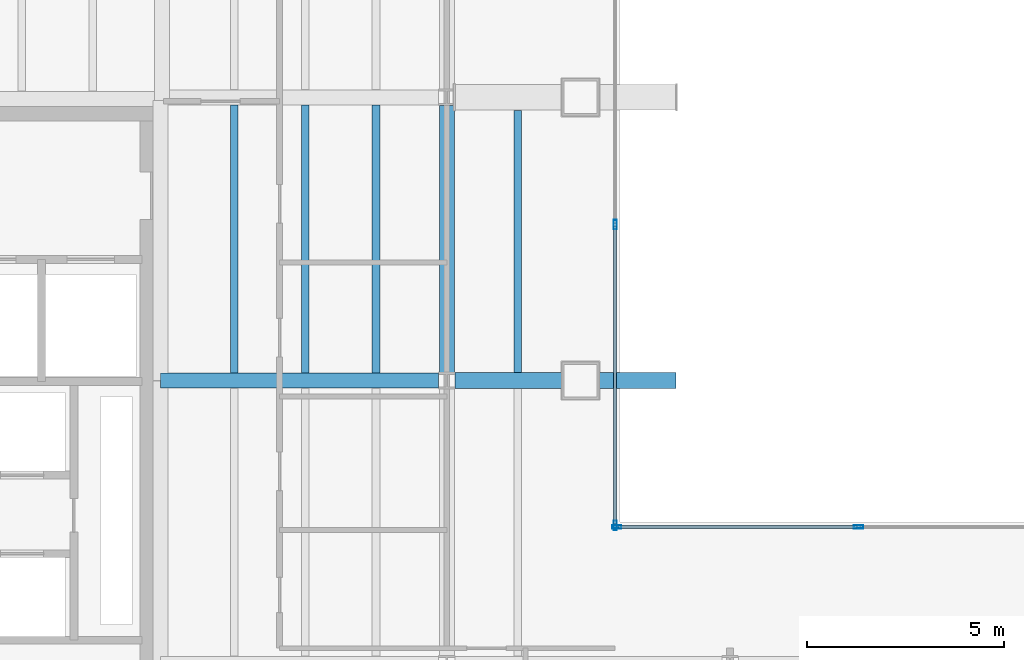
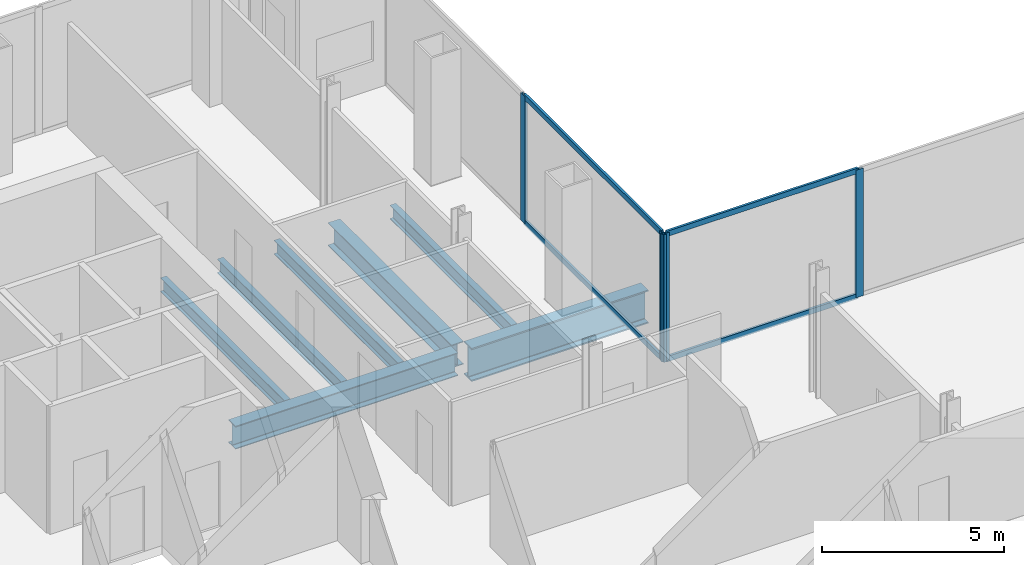
# One storey, part 5 of 16: 8 members, 7 beams, 2 elements without a shape of their own.
"""IFC4 building model written with IfcOpenShell, lengths in metres."""

import ifcopenshell
import ifcopenshell.guid

model = None  # the IFC model being written
_history = None  # IfcOwnerHistory: only IFC2X3 demands one
_inside = {}  # id of a spatial element -> (the spatial element, [elements in it])
_under = {}  # id of a project, library or spatial element -> (it, [spatial elements below it])
_declared = {}  # id of a project -> (the project, [libraries it declares])
_typed = {}  # id of a type object -> (the type object, [elements of that type])
_made_of = {}  # id of a material, layer set ... -> (it, [elements and type objects made of it])


def new_model(schema):
    """Start an empty IFC model of exactly this schema.

    Asked for "IFC4X3", IfcOpenShell would pick the latest addendum, in which some entities
    have other attributes; the version numbers below select the first issue.
    IFC2X3 requires an IfcOwnerHistory on every rooted entity: one is made here for all.
    """
    global model, _history
    if schema == "IFC4X3":
        model = ifcopenshell.file(schema_version=(4, 3, 0, 0))
    else:
        model = ifcopenshell.file(schema=schema)
    _inside.clear()
    _under.clear()
    _declared.clear()
    _typed.clear()
    _made_of.clear()
    _history = None
    if model.schema == "IFC2X3":
        org = make("IfcOrganization", Name="unknown")
        user = make(
            "IfcPersonAndOrganization",
            ThePerson=make("IfcPerson", FamilyName="unknown"),
            TheOrganization=org,
        )
        app = make(
            "IfcApplication",
            ApplicationDeveloper=org,
            Version="unknown",
            ApplicationFullName="unknown",
            ApplicationIdentifier="unknown",
        )
        _history = make(
            "IfcOwnerHistory",
            OwningUser=user,
            OwningApplication=app,
            ChangeAction="ADDED",
            CreationDate=0,
        )
    return model


def make(cls, **values):
    """One entity of the class cls with the attributes given. An attribute that is None is left unset."""
    return model.create_entity(
        cls, **{name: value for name, value in values.items() if value is not None}
    )


def rooted(cls, **values):
    """An entity with a GlobalId (a new one), such as an element, a storey or a relation."""
    return make(cls, GlobalId=ifcopenshell.guid.new(), OwnerHistory=_history, **values)


def si_unit(unit_type, name, prefix=None):
    """IfcSIUnit, for example si_unit("LENGTHUNIT", "METRE", prefix="MILLI")."""
    return make("IfcSIUnit", UnitType=unit_type, Prefix=prefix, Name=name)


def assignment(units):
    """IfcUnitAssignment: the units of a project."""
    return None if units is None else make("IfcUnitAssignment", Units=units)


def point(xyz):
    """IfcCartesianPoint."""
    return None if xyz is None else make("IfcCartesianPoint", Coordinates=xyz)


def direction(xyz):
    """IfcDirection."""
    return None if xyz is None else make("IfcDirection", DirectionRatios=xyz)


def frame(location, z_axis=None, x_axis=None):
    """IfcAxis2Placement3D, a coordinate frame: its origin and axes. An axis left out is left unset."""
    return make(
        "IfcAxis2Placement3D",
        Location=point(location),
        Axis=direction(z_axis),
        RefDirection=direction(x_axis),
    )


def frame_2d(location, x_axis=None):
    """IfcAxis2Placement2D, a coordinate frame in the plane: its origin and x axis."""
    return make(
        "IfcAxis2Placement2D", Location=point(location), RefDirection=direction(x_axis)
    )


def origin():
    """The frame at (0, 0, 0) with its axes left unset."""
    return frame((0.0, 0.0, 0.0))


def origin_2d():
    """The frame at (0, 0) in the plane with its x axis left unset."""
    return frame_2d((0.0, 0.0))


def place(relative_to, where):
    """IfcLocalPlacement: puts the frame where relative to a parent placement (None: the world)."""
    return make(
        "IfcLocalPlacement", PlacementRelTo=relative_to, RelativePlacement=where
    )


def context(
    kind, dimensions, precision=None, world=None, true_north=None, identifier=None
):
    """IfcGeometricRepresentationContext, for example the 3D "Model" context."""
    return make(
        "IfcGeometricRepresentationContext",
        ContextIdentifier=identifier,
        ContextType=kind,
        CoordinateSpaceDimension=dimensions,
        Precision=precision,
        WorldCoordinateSystem=world,
        TrueNorth=true_north,
    )


def subcontext(parent, identifier, kind, view, scale=None):
    """IfcGeometricRepresentationSubContext, for example "Body" below "Model"."""
    return make(
        "IfcGeometricRepresentationSubContext",
        ContextIdentifier=identifier,
        ContextType=kind,
        ParentContext=parent,
        TargetScale=scale,
        TargetView=view,
    )


def project(units=None, contexts=None):
    """IfcProject with its units and contexts."""
    return rooted(
        "IfcProject",
        Name="project",
        RepresentationContexts=contexts,
        UnitsInContext=assignment(units),
    )


def spatial(cls, under=None, at=None, **own):
    """A site, building, storey or space (cls), placed at a placement, below another one or the project."""
    s = rooted(cls, ObjectPlacement=at, **own)
    if under is not None:
        _under.setdefault(under.id(), (under, []))[1].append(s)
    return s


def profile(cls, at=None, kind="AREA", **sizes):
    """A parametric profile (cls). Its sizes go by their IFC names, for example OverallWidth=200.0."""
    return make(cls, ProfileType=kind, Position=at, **sizes)


def hollow_rectangle(**sizes):
    """IfcRectangleHollowProfileDef."""
    return profile("IfcRectangleHollowProfileDef", **sizes)


def i_section(**sizes):
    """IfcIShapeProfileDef."""
    return profile("IfcIShapeProfileDef", **sizes)


def extrude(swept, where, along, depth):
    """IfcExtrudedAreaSolid: the profile swept, set in the frame where, extruded along a direction by depth."""
    return make(
        "IfcExtrudedAreaSolid",
        SweptArea=swept,
        Position=where,
        ExtrudedDirection=direction(along),
        Depth=depth,
    )


def shape(context_of_items, identifier, shape_type, items):
    """IfcShapeRepresentation: the items that make up one representation, for example the "Body"."""
    return make(
        "IfcShapeRepresentation",
        ContextOfItems=context_of_items,
        RepresentationIdentifier=identifier,
        RepresentationType=shape_type,
        Items=items,
    )


def material(Name=None, Category=None):
    """IfcMaterial."""
    return make("IfcMaterial", Name=Name, Category=Category)


def material_profile(
    of_material, cross_section, Name=None, Category=None, Priority=None
):
    """IfcMaterialProfile: a cross section and its material."""
    return make(
        "IfcMaterialProfile",
        Name=Name,
        Material=of_material,
        Profile=cross_section,
        Priority=Priority,
        Category=Category,
    )


def profile_set(profiles, Name=None, composite=None):
    """IfcMaterialProfileSet."""
    return make(
        "IfcMaterialProfileSet",
        Name=Name,
        MaterialProfiles=profiles,
        CompositeProfile=composite,
    )


def made_of(thing, what):
    """Note that an element or type object is made of a material, layer set ...; save() writes the relation."""
    if what is not None:
        _made_of.setdefault(what.id(), (what, []))[1].append(thing)
    return thing


def type_object(cls, material=None, **own):
    """A type object (cls), such as IfcWallType, which elements share."""
    return made_of(rooted(cls, **own), material)


def element(
    cls,
    number,
    at=None,
    inside=None,
    cuts=None,
    type_object=None,
    material=None,
    context=None,
    identifier="Body",
    shape_type=None,
    held_by="IfcProductDefinitionShape",
    body=None,
    shapes=None,
    **own,
):
    """One element of the class cls, such as IfcWall. Its Tag is "e" and its number.

    at: its placement. inside: the storey or other place that contains it. cuts: it is an
    opening in that element (IfcRelVoidsElement). A single representation is given by context,
    identifier, shape_type and body (its items); several are given by shapes. held_by: the class
    of the entity that holds the representations. save() writes the other relations.
    """
    e = rooted(cls, Tag="e%d" % number, ObjectPlacement=at, **own)
    if body is not None:
        shapes = [shape(context, identifier, shape_type, body)]
    if shapes is not None:
        e.Representation = make(held_by, Representations=shapes)
    if inside is not None:
        _inside.setdefault(inside.id(), (inside, []))[1].append(e)
    if cuts is not None:
        rooted(
            "IfcRelVoidsElement", RelatingBuildingElement=cuts, RelatedOpeningElement=e
        )
    if type_object is not None:
        _typed.setdefault(type_object.id(), (type_object, []))[1].append(e)
    return made_of(e, material)


def aggregate(whole, parts):
    """IfcRelAggregates: a whole, such as a stair, and the parts it consists of."""
    return rooted("IfcRelAggregates", RelatingObject=whole, RelatedObjects=parts)


def save(model, path):
    """Write the relations noted so far, then the file.

    IfcRelAggregates (storeys below a building ...), IfcRelContainedInSpatialStructure (elements
    in a storey), IfcRelDefinesByType, IfcRelAssociatesMaterial and IfcRelDeclares: one each for
    every whole, place, type object, material and project.
    """
    for whole, parts in _under.values():
        aggregate(whole, parts)
    for where, things in _inside.values():
        rooted(
            "IfcRelContainedInSpatialStructure",
            RelatedElements=things,
            RelatingStructure=where,
        )
    for kind, things in _typed.values():
        rooted("IfcRelDefinesByType", RelatedObjects=things, RelatingType=kind)
    for what, things in _made_of.values():
        rooted("IfcRelAssociatesMaterial", RelatedObjects=things, RelatingMaterial=what)
    for by, libraries in _declared.values():
        rooted("IfcRelDeclares", RelatingContext=by, RelatedDefinitions=libraries)
    model.write(path)


model = new_model("IFC4")

# Units and contexts
model_context = context("Model", 3, precision=1e-05, world=origin(), true_north=direction((0.0, 1.0)))
body_context = subcontext(model_context, "Body", "Model", "MODEL_VIEW")
ifc_project = project(units=[si_unit("LENGTHUNIT", "METRE"), si_unit("AREAUNIT", "SQUARE_METRE"), si_unit("VOLUMEUNIT", "CUBIC_METRE"), si_unit("PLANEANGLEUNIT", "RADIAN"), si_unit("MASSUNIT", "GRAM", prefix="KILO")], contexts=[model_context])

# Site, building, storey
site_placement = place(None, origin())
site = spatial("IfcSite", under=ifc_project, at=site_placement, CompositionType="ELEMENT")
building_placement = place(site_placement, origin())
building = spatial("IfcBuilding", under=site, at=building_placement, Name="Cobrela Telecom Tower", CompositionType="ELEMENT")
storey_placement = place(building_placement, frame((0.0, 0.0, 97.64990234375)))
storey = spatial("IfcBuildingStorey", under=building, at=storey_placement, Name="L24", CompositionType="ELEMENT", Elevation=97.64990234375)

# Beams
ifc_material_1 = material(Name="Steel ASTM A992 Grade 50", Category="steel")
ifc_material_profile_1 = material_profile(ifc_material_1, i_section(OverallWidth=0.381103515625, OverallDepth=0.77197265625, WebThickness=0.0166015625, FlangeThickness=0.027099609375, FilletRadius=0.01904296875, at=origin_2d()), Name="W30X173")
ifc_profile_set_1 = profile_set([ifc_material_profile_1], Name="Steel ASTM A992 Grade 50")
beam_type_1 = type_object("IfcBeamType", Name="BM-GIRD-04", PredefinedType="USERDEFINED", material=ifc_profile_set_1)
beam_1_placement = place(storey_placement, frame((14.324951171875, 28.800048828125, -0.685791015625), z_axis=(1.0, 0.0, 0.0), x_axis=(0.0, 1.0, 0.0)))
element("IfcBeam", 1, at=beam_1_placement, inside=storey, type_object=beam_type_1, Name="L24 Primary Girder X15", ObjectType="GIRDER", PredefinedType="USERDEFINED", context=body_context, shape_type="SweptSolid", body=[
    extrude(i_section(OverallWidth=0.381103515625, OverallDepth=0.77197265625, WebThickness=0.0166015625, FlangeThickness=0.027099609375, FilletRadius=0.01904296875, at=origin_2d()), origin(), (0.0, 0.0, 1.0), 7.0654296875),
])
beam_2_placement = place(storey_placement, frame((21.60009765625, 29.009521484375, -0.685791015625), z_axis=(0.0, 1.0, 0.0), x_axis=(-1.0, 0.0, 0.0)))
element("IfcBeam", 2, at=beam_2_placement, inside=storey, type_object=beam_type_1, Name="L24 Primary Girder Y30", ObjectType="GIRDER", PredefinedType="USERDEFINED", context=body_context, shape_type="SweptSolid", body=[
    extrude(i_section(OverallWidth=0.381103515625, OverallDepth=0.77197265625, WebThickness=0.0166015625, FlangeThickness=0.027099609375, FilletRadius=0.01904296875, at=origin_2d()), origin(), (0.0, 0.0, 1.0), 6.781005859375),
])
ifc_material_profile_2 = material_profile(ifc_material_1, i_section(OverallWidth=0.193115234375, OverallDepth=0.467041015625, WebThickness=0.011474609375, FlangeThickness=0.01904296875, FilletRadius=0.012939453125, at=origin_2d()), Name="W18X65")
ifc_profile_set_2 = profile_set([ifc_material_profile_2], Name="Steel ASTM A992 Grade 50")
beam_type_2 = type_object("IfcBeamType", Name="BM-JOIST-03", PredefinedType="JOIST", material=ifc_profile_set_2)
for number, where, z_axis, x_axis, name in (
    (3, (16.199951171875, 28.99560546875, -0.533447265625), (0.0, 1.0, 0.0), (-1.0, 0.0, 0.0), "L24 Secondary Composite Floor Beam J07"),
    (4, (18.0, 28.99560546875, -0.533447265625), (0.0, 1.0, 0.0), (-1.0, 0.0, 0.0), "L24 Secondary Composite Floor Beam J12"),
    (5, (19.800048828125, 28.99560546875, -0.533447265625), (0.0, 1.0, 0.0), (-1.0, 0.0, 0.0), "L24 Secondary Composite Floor Beam J17"),
):
    element("IfcBeam", number, at=place(storey_placement, frame(where, z_axis=z_axis, x_axis=x_axis)), inside=storey, type_object=beam_type_2, Name=name, PredefinedType="JOIST", context=body_context, shape_type="SweptSolid", body=[
        extrude(i_section(OverallWidth=0.193115234375, OverallDepth=0.467041015625, WebThickness=0.011474609375, FlangeThickness=0.01904296875, FilletRadius=0.012939453125, at=origin_2d()), origin(), (0.0, 0.0, 1.0), 6.808837890625),
    ])
beam_3_placement = place(storey_placement, frame((23.39990234375, 29.007080078125, -0.533447265625), z_axis=(0.0, 1.0, 0.0), x_axis=(-1.0, 0.0, 0.0)))
element("IfcBeam", 6, at=beam_3_placement, inside=storey, type_object=beam_type_2, Name="L24 Secondary Composite Floor Beam J22", PredefinedType="JOIST", context=body_context, shape_type="SweptSolid", body=[
    extrude(i_section(OverallWidth=0.193115234375, OverallDepth=0.467041015625, WebThickness=0.011474609375, FlangeThickness=0.01904296875, FilletRadius=0.012939453125, at=origin_2d()), origin(), (0.0, 0.0, 1.0), 6.662841796875),
])
ifc_material_profile_3 = material_profile(ifc_material_1, i_section(OverallWidth=0.404052734375, OverallDepth=1.117919921875, WebThickness=0.02587890625, FlangeThickness=0.044921875, FilletRadius=0.02490234375, at=origin_2d()), Name="W44X335")
ifc_profile_set_3 = profile_set([ifc_material_profile_3], Name="Steel ASTM A992 Grade 50")
beam_type_3 = type_object("IfcBeamType", Name="BM-TRG-W44", PredefinedType="USERDEFINED", material=ifc_profile_set_3)
beam_4_placement = place(storey_placement, frame((21.8095703125, 28.800048828125, -0.85888671875), z_axis=(1.0, 0.0, 0.0), x_axis=(0.0, 1.0, 0.0)))
element("IfcBeam", 7, at=beam_4_placement, inside=storey, type_object=beam_type_3, Name="L24 Transfer Girder 04", ObjectType="GIRDER", PredefinedType="USERDEFINED", context=body_context, shape_type="SweptSolid", body=[
    extrude(i_section(OverallWidth=0.404052734375, OverallDepth=1.117919921875, WebThickness=0.02587890625, FlangeThickness=0.044921875, FilletRadius=0.02490234375, at=origin_2d()), origin(), (0.0, 0.0, 1.0), 5.6103515625),
])

# Curtain wall, members
ifc_material_2 = material(Name="Anodized Bronze Aluminium 6063-T6", Category="aluminium")
curtain_wall_type = type_object("IfcCurtainWallType", Name="CW-SYS-SKY", PredefinedType="USERDEFINED", material=ifc_material_2)
curtain_wall_1_placement = place(storey_placement, origin())
curtain_wall_1 = element("IfcCurtainWall", 8, at=curtain_wall_1_placement, inside=storey, type_object=curtain_wall_type, Name="L24 Unitised Bronze Curtain Wall 10", ObjectType="UNITISED CURTAIN WALL", PredefinedType="USERDEFINED")
ifc_material_profile_4 = material_profile(ifc_material_2, hollow_rectangle(XDim=0.080078125, YDim=0.239990234375, WallThickness=0.0048828125, at=origin_2d()), Name="ALU 80x240x5")
ifc_profile_set_4 = profile_set([ifc_material_profile_4], Name="Anodized Bronze Aluminium 6063-T6")
member_type_1 = type_object("IfcMemberType", Name="CW-SYS-SKY-MUL", PredefinedType="MULLION", material=ifc_profile_set_4)
member_1_placement = place(storey_placement, frame((25.8798828125, 32.764892578125, 0.0), z_axis=(0.0, 0.0, 1.0), x_axis=(1.0, 0.0, 0.0)))
member_1 = element("IfcMember", 9, at=member_1_placement, type_object=member_type_1, Name="CW-SKY mullion 2", PredefinedType="MULLION", context=body_context, shape_type="SweptSolid", body=[
    extrude(hollow_rectangle(XDim=0.080078125, YDim=0.239990234375, WallThickness=0.0048828125, at=origin_2d()), origin(), (0.0, 0.0, 1.0), 4.280029296875),
])
member_2_placement = place(storey_placement, frame((25.8798828125, 25.1201171875, 0.0), z_axis=(0.0, 0.0, 1.0), x_axis=(1.0, 0.0, 0.0)))
member_2 = element("IfcMember", 10, at=member_2_placement, type_object=member_type_1, Name="CW-SKY mullion 3", PredefinedType="MULLION", context=body_context, shape_type="SweptSolid", body=[
    extrude(hollow_rectangle(XDim=0.080078125, YDim=0.239990234375, WallThickness=0.0048828125, at=origin_2d()), origin(), (0.0, 0.0, 1.0), 4.280029296875),
])

curtain_wall_2_placement = place(storey_placement, origin())
curtain_wall_2 = element("IfcCurtainWall", 11, at=curtain_wall_2_placement, inside=storey, type_object=curtain_wall_type, Name="L24 Unitised Bronze Curtain Wall 11", ObjectType="UNITISED CURTAIN WALL", PredefinedType="USERDEFINED")
member_3_placement = place(storey_placement, frame((25.919921875, 25.080078125, 0.0), z_axis=(0.0, 0.0, 1.0), x_axis=(0.0, 1.0, 0.0)))
member_3 = element("IfcMember", 12, at=member_3_placement, type_object=member_type_1, Name="CW-SKY mullion 1", PredefinedType="MULLION", context=body_context, shape_type="SweptSolid", body=[
    extrude(hollow_rectangle(XDim=0.080078125, YDim=0.239990234375, WallThickness=0.0048828125, at=origin_2d()), origin(), (0.0, 0.0, 1.0), 4.280029296875),
])
member_4_placement = place(storey_placement, frame((32.070068359375, 25.080078125, 0.0), z_axis=(0.0, 0.0, 1.0), x_axis=(0.0, 1.0, 0.0)))
member_4 = element("IfcMember", 13, at=member_4_placement, type_object=member_type_1, Name="CW-SKY mullion 2", PredefinedType="MULLION", context=body_context, shape_type="SweptSolid", body=[
    extrude(hollow_rectangle(XDim=0.080078125, YDim=0.239990234375, WallThickness=0.0048828125, at=origin_2d()), origin(), (0.0, 0.0, 1.0), 4.280029296875),
])

# Member
ifc_material_profile_5 = material_profile(ifc_material_2, hollow_rectangle(XDim=0.074951171875, YDim=0.179931640625, WallThickness=0.00390625, at=origin_2d()), Name="ALU 75x180x4")
ifc_profile_set_5 = profile_set([ifc_material_profile_5], Name="Anodized Bronze Aluminium 6063-T6")
member_type_2 = type_object("IfcMemberType", Name="CW-SYS-SKY-TRN", PredefinedType="USERDEFINED", material=ifc_profile_set_5)
member_5_placement = place(storey_placement, frame((25.8798828125, 32.72509765625, 0.03759765625), z_axis=(0.0, -1.0, 0.0), x_axis=(1.0, 0.0, 0.0)))
member_5 = element("IfcMember", 14, at=member_5_placement, type_object=member_type_2, Name="CW-SKY transom 2.1", ObjectType="TRANSOM", PredefinedType="USERDEFINED", context=body_context, shape_type="SweptSolid", body=[
    extrude(hollow_rectangle(XDim=0.074951171875, YDim=0.179931640625, WallThickness=0.00390625, at=origin_2d()), origin(), (0.0, 0.0, 1.0), 7.565185546875),
])

member_6_placement = place(storey_placement, frame((25.8798828125, 32.72509765625, 4.24267578125), z_axis=(0.0, -1.0, 0.0), x_axis=(1.0, 0.0, 0.0)))
member_6 = element("IfcMember", 15, at=member_6_placement, type_object=member_type_2, Name="CW-SKY transom 2.2", ObjectType="TRANSOM", PredefinedType="USERDEFINED", context=body_context, shape_type="SweptSolid", body=[
    extrude(hollow_rectangle(XDim=0.074951171875, YDim=0.179931640625, WallThickness=0.00390625, at=origin_2d()), origin(), (0.0, 0.0, 1.0), 7.565185546875),
])

aggregate(curtain_wall_1, [member_1, member_2, member_5, member_6])

member_7_placement = place(storey_placement, frame((25.9599609375, 25.080078125, 0.03759765625), z_axis=(1.0, 0.0, 0.0), x_axis=(0.0, 1.0, 0.0)))
member_7 = element("IfcMember", 16, at=member_7_placement, type_object=member_type_2, Name="CW-SKY transom 1.1", ObjectType="TRANSOM", PredefinedType="USERDEFINED", context=body_context, shape_type="SweptSolid", body=[
    extrude(hollow_rectangle(XDim=0.074951171875, YDim=0.179931640625, WallThickness=0.00390625, at=origin_2d()), origin(), (0.0, 0.0, 1.0), 6.070068359375),
])

member_8_placement = place(storey_placement, frame((25.9599609375, 25.080078125, 4.24267578125), z_axis=(1.0, 0.0, 0.0), x_axis=(0.0, 1.0, 0.0)))
member_8 = element("IfcMember", 17, at=member_8_placement, type_object=member_type_2, Name="CW-SKY transom 1.2", ObjectType="TRANSOM", PredefinedType="USERDEFINED", context=body_context, shape_type="SweptSolid", body=[
    extrude(hollow_rectangle(XDim=0.074951171875, YDim=0.179931640625, WallThickness=0.00390625, at=origin_2d()), origin(), (0.0, 0.0, 1.0), 6.070068359375),
])

aggregate(curtain_wall_2, [member_3, member_4, member_7, member_8])

save(model, "model.ifc")
